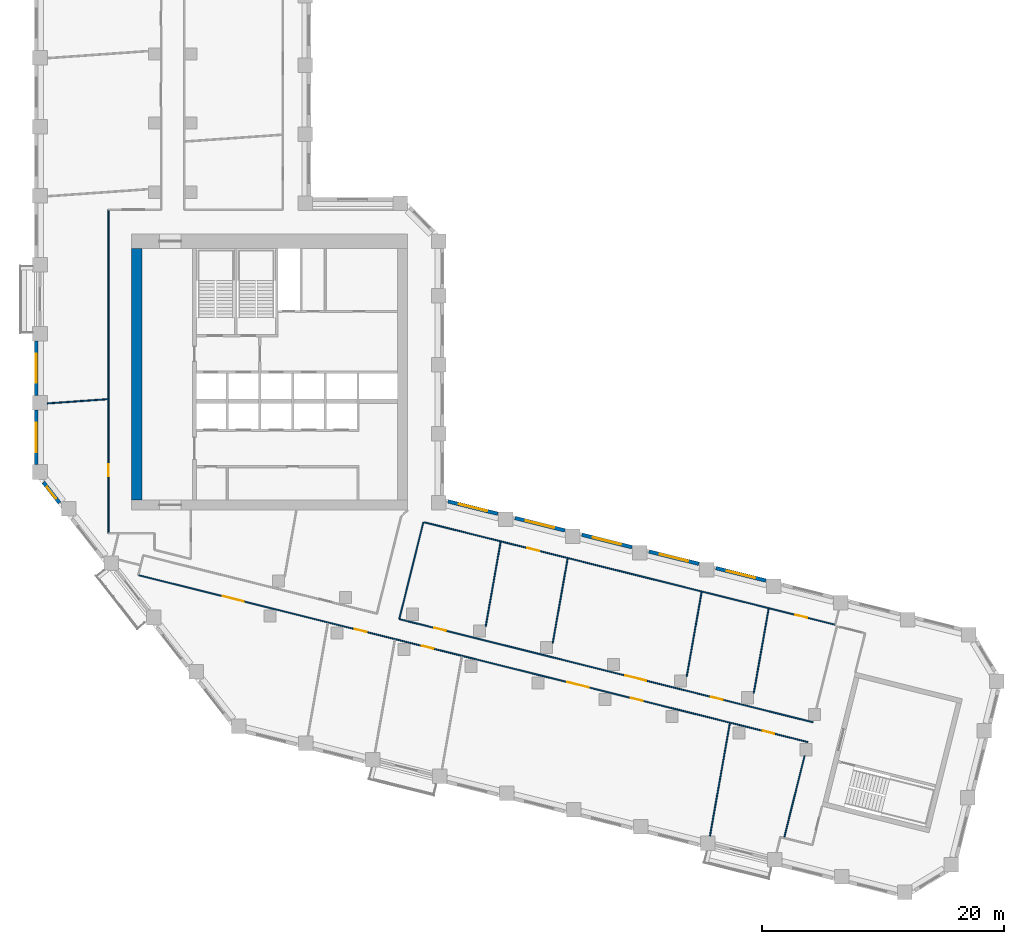
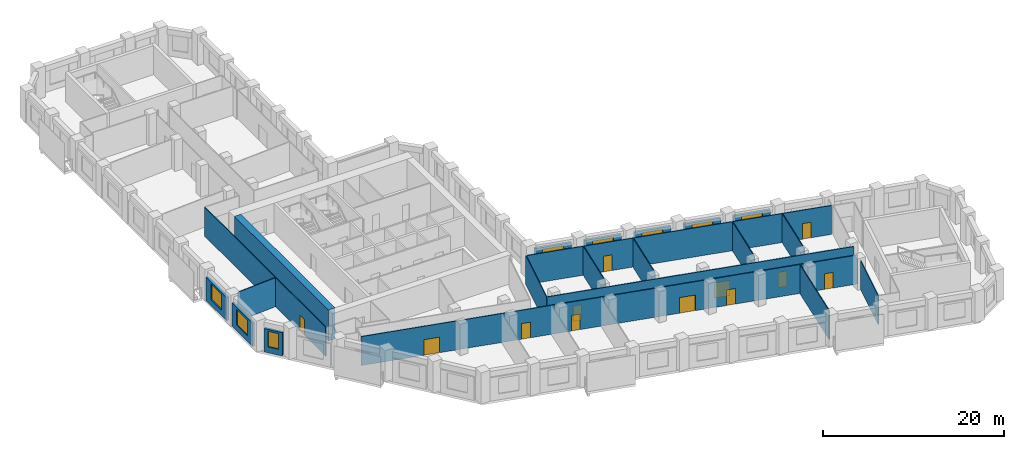
# One storey, part 4 of 10: 21 walls, 12 doors, 8 windows, 20 openings.
"""IFC4 building model written with IfcOpenShell, lengths in metres."""

from ifc_helpers import new_model, si_unit, direction, frame, frame_2d, origin, place, context, subcontext, project, spatial, rectangle, extrude, material, layer, layer_set, type_object, element, fill, save


model = new_model("IFC4")

# Units and contexts
model_context = context("Model", 3, precision=1e-05, world=origin(), true_north=direction((0.0, 1.0)))
body_context = subcontext(model_context, "Body", "Model", "MODEL_VIEW")
ifc_project = project(units=[si_unit("LENGTHUNIT", "METRE"), si_unit("AREAUNIT", "SQUARE_METRE"), si_unit("VOLUMEUNIT", "CUBIC_METRE"), si_unit("PLANEANGLEUNIT", "RADIAN"), si_unit("MASSUNIT", "GRAM", prefix="KILO")], contexts=[model_context])

# Site, building, storey
site_placement = place(None, origin())
site = spatial("IfcSite", under=ifc_project, at=site_placement, CompositionType="ELEMENT")
building_placement = place(site_placement, origin())
building = spatial("IfcBuilding", under=site, at=building_placement, Name="Meshkara Civic Tower", CompositionType="ELEMENT")
storey_placement = place(building_placement, frame((0.0, 0.0, 199.199951171875)))
storey = spatial("IfcBuildingStorey", under=building, at=storey_placement, Name="L45", CompositionType="ELEMENT", Elevation=199.199951171875)

# Wall
ifc_material_1 = material(Name="Concrete C70", Category="concrete")
ifc_layer_1 = layer(ifc_material_1, 0.85009765625)
ifc_layer_set_1 = layer_set([ifc_layer_1], Name="Core ring wall 850 C70")
wall_type_1 = type_object("IfcWallType", Name="Core ring wall 850 C70", PredefinedType="SHEAR", material=ifc_layer_set_1)
wall_1_placement = place(storey_placement, frame((8.425048828125, 14.949951171875, -0.300048828125), z_axis=(0.0, 0.0, 1.0), x_axis=(0.0, 1.0, 0.0)))
element("IfcWall", 1, at=wall_1_placement, inside=storey, type_object=wall_type_1, Name="L45-C003", PredefinedType="SHEAR", context=body_context, shape_type="SweptSolid", body=[
    extrude(rectangle(XDim=20.75, YDim=0.85009765625, at=frame_2d((10.375, 0.0))), origin(), (0.0, 0.0, 1.0), 4.2001953125),
])

# Wall, opening, door
ifc_material_2 = material(Name="Corridor wall 100")
ifc_layer_2 = layer(ifc_material_2, 0.10009765625)
ifc_layer_set_2 = layer_set([ifc_layer_2], Name="Corridor wall 100")
wall_type_2 = type_object("IfcWallType", Name="Corridor wall 100", PredefinedType="PARTITIONING", material=ifc_layer_set_2)
wall_2_placement = place(storey_placement, frame((6.10009765625, 38.89990234375, 0.0), z_axis=(0.0, 0.0, 1.0), x_axis=(0.0, -1.0, 0.0)))
wall_2 = element("IfcWall", 2, at=wall_2_placement, inside=storey, type_object=wall_type_2, Name="L45-W005", PredefinedType="PARTITIONING", context=body_context, shape_type="SweptSolid", body=[
    extrude(rectangle(XDim=26.699951171875, YDim=0.10009765625, at=frame_2d((13.35009765625, 0.0))), origin(), (0.0, 0.0, 1.0), 3.900146484375),
])
opening_1_placement = place(wall_2_placement, frame((21.010009765625, 0.0, 0.0)))
opening_1 = element("IfcOpeningElement", 3, at=opening_1_placement, cuts=wall_2, Name="Opening L45-D015", PredefinedType="OPENING", context=body_context, shape_type="SweptSolid", body=[
    extrude(rectangle(XDim=1.0, YDim=2.10009765625, at=frame_2d((0.5, 1.050048828125))), frame((0.0, 0.06005859375, 0.0), z_axis=(0.0, -1.0, 0.0), x_axis=(1.0, 0.0, 0.0)), (0.0, 0.0, 1.0), 0.1201171875),
])
ifc_material_3 = material(Name="Door 1000 x 2100")
door_type_1 = type_object("IfcDoorType", Name="Door 1000 x 2100", OperationType="SINGLE_SWING_LEFT", PredefinedType="DOOR", material=ifc_material_3)
door_1_placement = place(opening_1_placement, origin())
door_1 = element("IfcDoor", 4, at=door_1_placement, inside=storey, type_object=door_type_1, Name="L45-D015", OperationType="SINGLE_SWING_LEFT", OverallHeight=2.10009765625, OverallWidth=1.0, PredefinedType="DOOR", context=body_context, shape_type="SweptSolid", body=[
    extrude(rectangle(XDim=1.0, YDim=2.10009765625, at=frame_2d((0.5, 1.050048828125))), frame((0.0, 0.02490234375, 0.0), z_axis=(0.0, -1.0, 0.0), x_axis=(1.0, 0.0, 0.0)), (0.0, 0.0, 1.0), 0.050048828125),
])
fill(opening_1, door_1)

# Wall, openings, doors
wall_3_placement = place(storey_placement, frame((8.56494140625, 8.743896484375, 0.0), z_axis=(0.0, 0.0, 1.0), x_axis=(0.970297321886, -0.241915495869, 0.0)))
wall_3 = element("IfcWall", 5, at=wall_3_placement, inside=storey, type_object=wall_type_2, Name="L45-W006", PredefinedType="PARTITIONING", context=body_context, shape_type="SweptSolid", body=[
    extrude(rectangle(XDim=56.974365234375, YDim=0.10009765625, at=frame_2d((28.4873046875, 0.0))), origin(), (0.0, 0.0, 1.0), 3.900146484375),
])
opening_2_placement = place(wall_3_placement, frame((36.513916015625, 0.0, 0.0)))
opening_2 = element("IfcOpeningElement", 6, at=opening_2_placement, cuts=wall_3, Name="Opening L45-D002", PredefinedType="OPENING", context=body_context, shape_type="SweptSolid", body=[
    extrude(rectangle(XDim=1.800048828125, YDim=2.10009765625, at=frame_2d((0.89990234375, 1.050048828125))), frame((0.0, 0.06005859375, 0.0), z_axis=(0.0, -1.0, 0.0), x_axis=(1.0, 0.0, 0.0)), (0.0, 0.0, 1.0), 0.1201171875),
])
opening_3_placement = place(wall_3_placement, frame((41.9140625, 0.0, 0.0)))
opening_3 = element("IfcOpeningElement", 7, at=opening_3_placement, cuts=wall_3, Name="Opening L45-D003", PredefinedType="OPENING", context=body_context, shape_type="SweptSolid", body=[
    extrude(rectangle(XDim=1.0, YDim=2.10009765625, at=frame_2d((0.5, 1.050048828125))), frame((0.0, 0.06005859375, 0.0), z_axis=(0.0, -1.0, 0.0), x_axis=(1.0, 0.0, 0.0)), (0.0, 0.0, 1.0), 0.1201171875),
])
opening_4_placement = place(wall_3_placement, frame((53.113037109375, 0.0, 0.0)))
opening_4 = element("IfcOpeningElement", 8, at=opening_4_placement, cuts=wall_3, Name="Opening L45-D005", PredefinedType="OPENING", context=body_context, shape_type="SweptSolid", body=[
    extrude(rectangle(XDim=1.0, YDim=2.10009765625, at=frame_2d((0.5, 1.050048828125))), frame((0.0, 0.06005859375, 0.0), z_axis=(0.0, -1.0, 0.0), x_axis=(1.0, 0.0, 0.0)), (0.0, 0.0, 1.0), 0.1201171875),
])
opening_5_placement = place(wall_3_placement, frame((18.4130859375, 0.0, 0.0)))
opening_5 = element("IfcOpeningElement", 9, at=opening_5_placement, cuts=wall_3, Name="Opening L45-D006", PredefinedType="OPENING", context=body_context, shape_type="SweptSolid", body=[
    extrude(rectangle(XDim=1.0, YDim=2.10009765625, at=frame_2d((0.5, 1.050048828125))), frame((0.0, 0.06005859375, 0.0), z_axis=(0.0, -1.0, 0.0), x_axis=(1.0, 0.0, 0.0)), (0.0, 0.0, 1.0), 0.1201171875),
])
opening_6_placement = place(wall_3_placement, frame((24.114013671875, 0.0, 0.0)))
opening_6 = element("IfcOpeningElement", 10, at=opening_6_placement, cuts=wall_3, Name="Opening L45-D007", PredefinedType="OPENING", context=body_context, shape_type="SweptSolid", body=[
    extrude(rectangle(XDim=1.0, YDim=2.10009765625, at=frame_2d((0.5, 1.050048828125))), frame((0.0, 0.06005859375, 0.0), z_axis=(0.0, -1.0, 0.0), x_axis=(1.0, 0.0, 0.0)), (0.0, 0.0, 1.0), 0.1201171875),
])
opening_7_placement = place(wall_3_placement, frame((7.179931640625, 0.0, 0.0)))
opening_7 = element("IfcOpeningElement", 11, at=opening_7_placement, cuts=wall_3, Name="Opening L45-D012", PredefinedType="OPENING", context=body_context, shape_type="SweptSolid", body=[
    extrude(rectangle(XDim=1.800048828125, YDim=2.10009765625, at=frame_2d((0.89990234375, 1.050048828125))), frame((0.0, 0.06005859375, 0.0), z_axis=(0.0, -1.0, 0.0), x_axis=(1.0, 0.0, 0.0)), (0.0, 0.0, 1.0), 0.1201171875),
])
door_2_placement = place(opening_3_placement, origin())
door_2 = element("IfcDoor", 12, at=door_2_placement, inside=storey, type_object=door_type_1, Name="L45-D003", OperationType="SINGLE_SWING_LEFT", OverallHeight=2.10009765625, OverallWidth=1.0, PredefinedType="DOOR", context=body_context, shape_type="SweptSolid", body=[
    extrude(rectangle(XDim=1.0, YDim=2.10009765625, at=frame_2d((0.5, 1.050048828125))), frame((0.0, 0.02490234375, 0.0), z_axis=(0.0, -1.0, 0.0), x_axis=(1.0, 0.0, 0.0)), (0.0, 0.0, 1.0), 0.050048828125),
])
fill(opening_3, door_2)
door_3_placement = place(opening_4_placement, origin())
door_3 = element("IfcDoor", 13, at=door_3_placement, inside=storey, type_object=door_type_1, Name="L45-D005", OperationType="SINGLE_SWING_RIGHT", OverallHeight=2.10009765625, OverallWidth=1.0, PredefinedType="DOOR", context=body_context, shape_type="SweptSolid", body=[
    extrude(rectangle(XDim=1.0, YDim=2.10009765625, at=frame_2d((0.5, 1.050048828125))), frame((0.0, 0.02490234375, 0.0), z_axis=(0.0, -1.0, 0.0), x_axis=(1.0, 0.0, 0.0)), (0.0, 0.0, 1.0), 0.050048828125),
])
fill(opening_4, door_3)
door_4_placement = place(opening_5_placement, origin())
door_4 = element("IfcDoor", 14, at=door_4_placement, inside=storey, type_object=door_type_1, Name="L45-D006", OperationType="SINGLE_SWING_RIGHT", OverallHeight=2.10009765625, OverallWidth=1.0, PredefinedType="DOOR", context=body_context, shape_type="SweptSolid", body=[
    extrude(rectangle(XDim=1.0, YDim=2.10009765625, at=frame_2d((0.5, 1.050048828125))), frame((0.0, 0.02490234375, 0.0), z_axis=(0.0, -1.0, 0.0), x_axis=(1.0, 0.0, 0.0)), (0.0, 0.0, 1.0), 0.050048828125),
])
fill(opening_5, door_4)
door_5_placement = place(opening_6_placement, origin())
door_5 = element("IfcDoor", 15, at=door_5_placement, inside=storey, type_object=door_type_1, Name="L45-D007", OperationType="SINGLE_SWING_RIGHT", OverallHeight=2.10009765625, OverallWidth=1.0, PredefinedType="DOOR", context=body_context, shape_type="SweptSolid", body=[
    extrude(rectangle(XDim=1.0, YDim=2.10009765625, at=frame_2d((0.5, 1.050048828125))), frame((0.0, 0.02490234375, 0.0), z_axis=(0.0, -1.0, 0.0), x_axis=(1.0, 0.0, 0.0)), (0.0, 0.0, 1.0), 0.050048828125),
])
fill(opening_6, door_5)
ifc_material_4 = material(Name="Door pair 1800 x 2100")
door_type_2 = type_object("IfcDoorType", Name="Door pair 1800 x 2100", OperationType="SINGLE_SWING_LEFT", PredefinedType="DOOR", material=ifc_material_4)
door_6_placement = place(opening_2_placement, origin())
door_6 = element("IfcDoor", 16, at=door_6_placement, inside=storey, type_object=door_type_2, Name="L45-D002", OperationType="DOUBLE_DOOR_SINGLE_SWING", OverallHeight=2.10009765625, OverallWidth=1.800048828125, PredefinedType="DOOR", context=body_context, shape_type="SweptSolid", body=[
    extrude(rectangle(XDim=1.800048828125, YDim=2.10009765625, at=frame_2d((0.89990234375, 1.050048828125))), frame((0.0, 0.02490234375, 0.0), z_axis=(0.0, -1.0, 0.0), x_axis=(1.0, 0.0, 0.0)), (0.0, 0.0, 1.0), 0.050048828125),
])
fill(opening_2, door_6)
door_7_placement = place(opening_7_placement, origin())
door_7 = element("IfcDoor", 17, at=door_7_placement, inside=storey, type_object=door_type_2, Name="L45-D012", OperationType="DOUBLE_DOOR_SINGLE_SWING", OverallHeight=2.10009765625, OverallWidth=1.800048828125, PredefinedType="DOOR", context=body_context, shape_type="SweptSolid", body=[
    extrude(rectangle(XDim=1.800048828125, YDim=2.10009765625, at=frame_2d((0.89990234375, 1.050048828125))), frame((0.0, 0.02490234375, 0.0), z_axis=(0.0, -1.0, 0.0), x_axis=(1.0, 0.0, 0.0)), (0.0, 0.0, 1.0), 0.050048828125),
])
fill(opening_7, door_7)

wall_4_placement = place(storey_placement, frame((30.10498046875, 5.113037109375, 0.0), z_axis=(0.0, 0.0, 1.0), x_axis=(0.970293689353, -0.241930065106, 0.0)))
wall_4 = element("IfcWall", 18, at=wall_4_placement, inside=storey, type_object=wall_type_2, Name="L45-W022", PredefinedType="PARTITIONING", context=body_context, shape_type="SweptSolid", body=[
    extrude(rectangle(XDim=35.19677734375, YDim=0.10009765625, at=frame_2d((17.598388671875, 0.0))), origin(), (0.0, 0.0, 1.0), 3.900146484375),
])
opening_8_placement = place(wall_4_placement, frame((26.527099609375, 0.0, 0.0)))
opening_8 = element("IfcOpeningElement", 19, at=opening_8_placement, cuts=wall_4, Name="Opening L45-D004", PredefinedType="OPENING", context=body_context, shape_type="SweptSolid", body=[
    extrude(rectangle(XDim=1.0, YDim=2.10009765625, at=frame_2d((0.5, 1.050048828125))), frame((0.0, 0.06005859375, 0.0), z_axis=(0.0, -1.0, 0.0), x_axis=(1.0, 0.0, 0.0)), (0.0, 0.0, 1.0), 0.1201171875),
])
opening_9_placement = place(wall_4_placement, frame((2.97998046875, 0.0, 0.0)))
opening_9 = element("IfcOpeningElement", 20, at=opening_9_placement, cuts=wall_4, Name="Opening L45-D008", PredefinedType="OPENING", context=body_context, shape_type="SweptSolid", body=[
    extrude(rectangle(XDim=1.0, YDim=2.10009765625, at=frame_2d((0.5, 1.050048828125))), frame((0.0, 0.06005859375, 0.0), z_axis=(0.0, -1.0, 0.0), x_axis=(1.0, 0.0, 0.0)), (0.0, 0.0, 1.0), 0.1201171875),
])
opening_10_placement = place(wall_4_placement, frame((19.22705078125, 0.0, 0.0)))
opening_10 = element("IfcOpeningElement", 21, at=opening_10_placement, cuts=wall_4, Name="Opening L45-D009", PredefinedType="OPENING", context=body_context, shape_type="SweptSolid", body=[
    extrude(rectangle(XDim=1.800048828125, YDim=2.10009765625, at=frame_2d((0.89990234375, 1.050048828125))), frame((0.0, 0.06005859375, 0.0), z_axis=(0.0, -1.0, 0.0), x_axis=(1.0, 0.0, 0.0)), (0.0, 0.0, 1.0), 0.1201171875),
])
door_8_placement = place(opening_8_placement, origin())
door_8 = element("IfcDoor", 22, at=door_8_placement, inside=storey, type_object=door_type_1, Name="L45-D004", OperationType="SINGLE_SWING_LEFT", OverallHeight=2.10009765625, OverallWidth=1.0, PredefinedType="DOOR", context=body_context, shape_type="SweptSolid", body=[
    extrude(rectangle(XDim=1.0, YDim=2.10009765625, at=frame_2d((0.5, 1.050048828125))), frame((0.0, 0.02490234375, 0.0), z_axis=(0.0, -1.0, 0.0), x_axis=(1.0, 0.0, 0.0)), (0.0, 0.0, 1.0), 0.050048828125),
])
fill(opening_8, door_8)
door_9_placement = place(opening_9_placement, origin())
door_9 = element("IfcDoor", 23, at=door_9_placement, inside=storey, type_object=door_type_1, Name="L45-D008", OperationType="SINGLE_SWING_LEFT", OverallHeight=2.10009765625, OverallWidth=1.0, PredefinedType="DOOR", context=body_context, shape_type="SweptSolid", body=[
    extrude(rectangle(XDim=1.0, YDim=2.10009765625, at=frame_2d((0.5, 1.050048828125))), frame((0.0, 0.02490234375, 0.0), z_axis=(0.0, -1.0, 0.0), x_axis=(1.0, 0.0, 0.0)), (0.0, 0.0, 1.0), 0.050048828125),
])
fill(opening_9, door_9)
door_10_placement = place(opening_10_placement, origin())
door_10 = element("IfcDoor", 24, at=door_10_placement, inside=storey, type_object=door_type_2, Name="L45-D009", OperationType="DOUBLE_DOOR_SINGLE_SWING", OverallHeight=2.10009765625, OverallWidth=1.800048828125, PredefinedType="DOOR", context=body_context, shape_type="SweptSolid", body=[
    extrude(rectangle(XDim=1.800048828125, YDim=2.10009765625, at=frame_2d((0.89990234375, 1.050048828125))), frame((0.0, 0.02490234375, 0.0), z_axis=(0.0, -1.0, 0.0), x_axis=(1.0, 0.0, 0.0)), (0.0, 0.0, 1.0), 0.050048828125),
])
fill(opening_10, door_10)

# Wall
wall_5_placement = place(storey_placement, frame((30.10498046875, 5.113037109375, 0.0), z_axis=(0.0, 0.0, 1.0), x_axis=(0.241984285369, 0.970280168629, 0.0)))
element("IfcWall", 25, at=wall_5_placement, inside=storey, type_object=wall_type_2, Name="L45-W023", PredefinedType="PARTITIONING", context=body_context, shape_type="SweptSolid", body=[
    extrude(rectangle(XDim=8.231689453125, YDim=0.10009765625, at=frame_2d((4.11572265625, 0.0))), origin(), (0.0, 0.0, 1.0), 3.900146484375),
])

# Wall, openings, doors
wall_6_placement = place(storey_placement, frame((32.196044921875, 13.10009765625, 0.0), z_axis=(0.0, 0.0, 1.0), x_axis=(0.970294028693, -0.241928704129, 0.0)))
wall_6 = element("IfcWall", 26, at=wall_6_placement, inside=storey, type_object=wall_type_2, Name="L45-W026", PredefinedType="PARTITIONING", context=body_context, shape_type="SweptSolid", body=[
    extrude(rectangle(XDim=34.928466796875, YDim=0.10009765625, at=frame_2d((17.46435546875, 0.0))), origin(), (0.0, 0.0, 1.0), 3.900146484375),
])
opening_11_placement = place(wall_6_placement, frame((31.55810546875, 0.0, 0.0)))
opening_11 = element("IfcOpeningElement", 27, at=opening_11_placement, cuts=wall_6, Name="Opening L45-D010", PredefinedType="OPENING", context=body_context, shape_type="SweptSolid", body=[
    extrude(rectangle(XDim=1.0, YDim=2.10009765625, at=frame_2d((0.5, 1.050048828125))), frame((0.0, 0.06005859375, 0.0), z_axis=(0.0, -1.0, 0.0), x_axis=(1.0, 0.0, 0.0)), (0.0, 0.0, 1.0), 0.1201171875),
])
opening_12_placement = place(wall_6_placement, frame((8.757080078125, 0.0, 0.0)))
opening_12 = element("IfcOpeningElement", 28, at=opening_12_placement, cuts=wall_6, Name="Opening L45-D014", PredefinedType="OPENING", context=body_context, shape_type="SweptSolid", body=[
    extrude(rectangle(XDim=1.0, YDim=2.10009765625, at=frame_2d((0.5, 1.050048828125))), frame((0.0, 0.06005859375, 0.0), z_axis=(0.0, -1.0, 0.0), x_axis=(1.0, 0.0, 0.0)), (0.0, 0.0, 1.0), 0.1201171875),
])
door_11_placement = place(opening_11_placement, origin())
door_11 = element("IfcDoor", 29, at=door_11_placement, inside=storey, type_object=door_type_1, Name="L45-D010", OperationType="SINGLE_SWING_RIGHT", OverallHeight=2.10009765625, OverallWidth=1.0, PredefinedType="DOOR", context=body_context, shape_type="SweptSolid", body=[
    extrude(rectangle(XDim=1.0, YDim=2.10009765625, at=frame_2d((0.5, 1.050048828125))), frame((0.0, 0.02490234375, 0.0), z_axis=(0.0, -1.0, 0.0), x_axis=(1.0, 0.0, 0.0)), (0.0, 0.0, 1.0), 0.050048828125),
])
fill(opening_11, door_11)
door_12_placement = place(opening_12_placement, origin())
door_12 = element("IfcDoor", 30, at=door_12_placement, inside=storey, type_object=door_type_1, Name="L45-D014", OperationType="SINGLE_SWING_RIGHT", OverallHeight=2.10009765625, OverallWidth=1.0, PredefinedType="DOOR", context=body_context, shape_type="SweptSolid", body=[
    extrude(rectangle(XDim=1.0, YDim=2.10009765625, at=frame_2d((0.5, 1.050048828125))), frame((0.0, 0.02490234375, 0.0), z_axis=(0.0, -1.0, 0.0), x_axis=(1.0, 0.0, 0.0)), (0.0, 0.0, 1.0), 0.050048828125),
])
fill(opening_12, door_12)

# Wall
wall_7_placement = place(storey_placement, frame((63.56494140625, -6.1708984375, 0.0), z_axis=(0.0, 0.0, 1.0), x_axis=(-0.241919179606, -0.970296403445, 0.0)))
element("IfcWall", 31, at=wall_7_placement, inside=storey, type_object=wall_type_2, Name="L45-W028", PredefinedType="PARTITIONING", context=body_context, shape_type="SweptSolid", body=[
    extrude(rectangle(XDim=6.989501953125, YDim=0.10009765625, at=frame_2d((3.49462890625, 0.0))), origin(), (0.0, 0.0, 1.0), 3.900146484375),
])

# Wall, opening, window
ifc_material_5 = material(Name="Insulated infill panel with bronze anodised aluminium cladding", Category="aluminium")
ifc_layer_3 = layer(ifc_material_5, 0.300048828125)
ifc_layer_set_3 = layer_set([ifc_layer_3], Name="EXTERNAL INFILL WALL 300")
wall_type_3 = type_object("IfcWallType", Name="EXTERNAL INFILL WALL 300", PredefinedType="SOLIDWALL", material=ifc_layer_set_3)
wall_8_placement = place(storey_placement, frame((60.3701171875, 8.291015625, 0.0), z_axis=(0.0, 0.0, 1.0), x_axis=(-0.970291164166, 0.241940192487, 0.0)))
wall_8 = element("IfcWall", 32, at=wall_8_placement, inside=storey, type_object=wall_type_3, Name="External wall", PredefinedType="SOLIDWALL", context=body_context, shape_type="SweptSolid", body=[
    extrude(rectangle(XDim=4.245361328125, YDim=0.300048828125, at=frame_2d((2.12255859375, 0.0))), origin(), (0.0, 0.0, 1.0), 3.150146484375),
])
opening_13_placement = place(wall_8_placement, frame((0.922119140625, 0.0, 0.800048828125)))
opening_13 = element("IfcOpeningElement", 33, at=opening_13_placement, cuts=wall_8, Name="Opening W7", PredefinedType="OPENING", context=body_context, shape_type="SweptSolid", body=[
    extrude(rectangle(XDim=2.39990234375, YDim=2.10009765625, at=frame_2d((1.199951171875, 1.050048828125))), frame((0.0, 0.159912109375, 0.0), z_axis=(0.0, -1.0, 0.0), x_axis=(1.0, 0.0, 0.0)), (0.0, 0.0, 1.0), 0.320068359375),
])
ifc_material_6 = material(Name="Tinted double glazing", Category="glass")
window_type_1 = type_object("IfcWindowType", Name="WINDOW 2400x2100", PartitioningType="DOUBLE_PANEL_VERTICAL", PredefinedType="WINDOW", material=ifc_material_6)
window_1_placement = place(opening_13_placement, origin())
window_1 = element("IfcWindow", 34, at=window_1_placement, inside=storey, type_object=window_type_1, Name="Window", OverallHeight=2.10009765625, OverallWidth=2.39990234375, PartitioningType="DOUBLE_PANEL_VERTICAL", PredefinedType="WINDOW", context=body_context, shape_type="SweptSolid", body=[
    extrude(rectangle(XDim=2.39990234375, YDim=2.10009765625, at=frame_2d((1.199951171875, 1.050048828125))), frame((0.0, 0.030029296875, 0.0), z_axis=(0.0, -1.0, 0.0), x_axis=(1.0, 0.0, 0.0)), (0.0, 0.0, 1.0), 0.06005859375),
])
fill(opening_13, window_1)

wall_9_placement = place(storey_placement, frame((54.840087890625, 9.669921875, 0.0), z_axis=(0.0, 0.0, 1.0), x_axis=(-0.97030462482, 0.241886202691, 0.0)))
wall_9 = element("IfcWall", 35, at=wall_9_placement, inside=storey, type_object=wall_type_3, Name="External wall", PredefinedType="SOLIDWALL", context=body_context, shape_type="SweptSolid", body=[
    extrude(rectangle(XDim=4.24609375, YDim=0.300048828125, at=frame_2d((2.123046875, 0.0))), origin(), (0.0, 0.0, 1.0), 3.150146484375),
])
opening_14_placement = place(wall_9_placement, frame((0.923095703125, 0.0, 0.800048828125)))
opening_14 = element("IfcOpeningElement", 36, at=opening_14_placement, cuts=wall_9, Name="Opening W7", PredefinedType="OPENING", context=body_context, shape_type="SweptSolid", body=[
    extrude(rectangle(XDim=2.39990234375, YDim=2.10009765625, at=frame_2d((1.199951171875, 1.050048828125))), frame((0.0, 0.159912109375, 0.0), z_axis=(0.0, -1.0, 0.0), x_axis=(1.0, 0.0, 0.0)), (0.0, 0.0, 1.0), 0.320068359375),
])
window_2_placement = place(opening_14_placement, origin())
window_2 = element("IfcWindow", 37, at=window_2_placement, inside=storey, type_object=window_type_1, Name="Window", OverallHeight=2.10009765625, OverallWidth=2.39990234375, PartitioningType="DOUBLE_PANEL_VERTICAL", PredefinedType="WINDOW", context=body_context, shape_type="SweptSolid", body=[
    extrude(rectangle(XDim=2.39990234375, YDim=2.10009765625, at=frame_2d((1.199951171875, 1.050048828125))), frame((0.0, 0.030029296875, 0.0), z_axis=(0.0, -1.0, 0.0), x_axis=(1.0, 0.0, 0.0)), (0.0, 0.0, 1.0), 0.06005859375),
])
fill(opening_14, window_2)

wall_10_placement = place(storey_placement, frame((49.30908203125, 11.049072265625, 0.0), z_axis=(0.0, 0.0, 1.0), x_axis=(-0.970264129329, 0.242048588793, 0.0)))
wall_10 = element("IfcWall", 38, at=wall_10_placement, inside=storey, type_object=wall_type_3, Name="External wall", PredefinedType="SOLIDWALL", context=body_context, shape_type="SweptSolid", body=[
    extrude(rectangle(XDim=4.246337890625, YDim=0.300048828125, at=frame_2d((2.123046875, 0.0))), origin(), (0.0, 0.0, 1.0), 3.150146484375),
])
opening_15_placement = place(wall_10_placement, frame((0.923095703125, 0.0, 0.800048828125)))
opening_15 = element("IfcOpeningElement", 39, at=opening_15_placement, cuts=wall_10, Name="Opening W7", PredefinedType="OPENING", context=body_context, shape_type="SweptSolid", body=[
    extrude(rectangle(XDim=2.39990234375, YDim=2.10009765625, at=frame_2d((1.199951171875, 1.050048828125))), frame((0.0, 0.159912109375, 0.0), z_axis=(0.0, -1.0, 0.0), x_axis=(1.0, 0.0, 0.0)), (0.0, 0.0, 1.0), 0.320068359375),
])
window_3_placement = place(opening_15_placement, origin())
window_3 = element("IfcWindow", 40, at=window_3_placement, inside=storey, type_object=window_type_1, Name="Window", OverallHeight=2.10009765625, OverallWidth=2.39990234375, PartitioningType="DOUBLE_PANEL_VERTICAL", PredefinedType="WINDOW", context=body_context, shape_type="SweptSolid", body=[
    extrude(rectangle(XDim=2.39990234375, YDim=2.10009765625, at=frame_2d((1.199951171875, 1.050048828125))), frame((0.0, 0.030029296875, 0.0), z_axis=(0.0, -1.0, 0.0), x_axis=(1.0, 0.0, 0.0)), (0.0, 0.0, 1.0), 0.06005859375),
])
fill(opening_15, window_3)

wall_11_placement = place(storey_placement, frame((43.778076171875, 12.427978515625, 0.0), z_axis=(0.0, 0.0, 1.0), x_axis=(-0.970291164166, 0.241940192487, 0.0)))
wall_11 = element("IfcWall", 41, at=wall_11_placement, inside=storey, type_object=wall_type_3, Name="External wall", PredefinedType="SOLIDWALL", context=body_context, shape_type="SweptSolid", body=[
    extrude(rectangle(XDim=4.245361328125, YDim=0.300048828125, at=frame_2d((2.12255859375, 0.0))), origin(), (0.0, 0.0, 1.0), 3.150146484375),
])
opening_16_placement = place(wall_11_placement, frame((0.922119140625, 0.0, 0.800048828125)))
opening_16 = element("IfcOpeningElement", 42, at=opening_16_placement, cuts=wall_11, Name="Opening W7", PredefinedType="OPENING", context=body_context, shape_type="SweptSolid", body=[
    extrude(rectangle(XDim=2.39990234375, YDim=2.10009765625, at=frame_2d((1.199951171875, 1.050048828125))), frame((0.0, 0.159912109375, 0.0), z_axis=(0.0, -1.0, 0.0), x_axis=(1.0, 0.0, 0.0)), (0.0, 0.0, 1.0), 0.320068359375),
])
window_4_placement = place(opening_16_placement, origin())
window_4 = element("IfcWindow", 43, at=window_4_placement, inside=storey, type_object=window_type_1, Name="Window", OverallHeight=2.10009765625, OverallWidth=2.39990234375, PartitioningType="DOUBLE_PANEL_VERTICAL", PredefinedType="WINDOW", context=body_context, shape_type="SweptSolid", body=[
    extrude(rectangle(XDim=2.39990234375, YDim=2.10009765625, at=frame_2d((1.199951171875, 1.050048828125))), frame((0.0, 0.030029296875, 0.0), z_axis=(0.0, -1.0, 0.0), x_axis=(1.0, 0.0, 0.0)), (0.0, 0.0, 1.0), 0.06005859375),
])
fill(opening_16, window_4)

wall_12_placement = place(storey_placement, frame((38.248046875, 13.806884765625, 0.0), z_axis=(0.0, 0.0, 1.0), x_axis=(-0.970250625545, 0.242102712975, 0.0)))
wall_12 = element("IfcWall", 44, at=wall_12_placement, inside=storey, type_object=wall_type_3, Name="External wall", PredefinedType="SOLIDWALL", context=body_context, shape_type="SweptSolid", body=[
    extrude(rectangle(XDim=4.246337890625, YDim=0.300048828125, at=frame_2d((2.123046875, 0.0))), origin(), (0.0, 0.0, 1.0), 3.150146484375),
])
opening_17_placement = place(wall_12_placement, frame((0.923095703125, 0.0, 0.800048828125)))
opening_17 = element("IfcOpeningElement", 45, at=opening_17_placement, cuts=wall_12, Name="Opening W7", PredefinedType="OPENING", context=body_context, shape_type="SweptSolid", body=[
    extrude(rectangle(XDim=2.39990234375, YDim=2.10009765625, at=frame_2d((1.199951171875, 1.050048828125))), frame((0.0, 0.159912109375, 0.0), z_axis=(0.0, -1.0, 0.0), x_axis=(1.0, 0.0, 0.0)), (0.0, 0.0, 1.0), 0.320068359375),
])
window_5_placement = place(opening_17_placement, origin())
window_5 = element("IfcWindow", 46, at=window_5_placement, inside=storey, type_object=window_type_1, Name="Window", OverallHeight=2.10009765625, OverallWidth=2.39990234375, PartitioningType="DOUBLE_PANEL_VERTICAL", PredefinedType="WINDOW", context=body_context, shape_type="SweptSolid", body=[
    extrude(rectangle(XDim=2.39990234375, YDim=2.10009765625, at=frame_2d((1.199951171875, 1.050048828125))), frame((0.0, 0.030029296875, 0.0), z_axis=(0.0, -1.0, 0.0), x_axis=(1.0, 0.0, 0.0)), (0.0, 0.0, 1.0), 0.06005859375),
])
fill(opening_17, window_5)

wall_13_placement = place(storey_placement, frame((0.14990234375, 28.054931640625, 0.0), z_axis=(0.0, 0.0, 1.0), x_axis=(0.0, -1.0, 0.0)))
wall_13 = element("IfcWall", 47, at=wall_13_placement, inside=storey, type_object=wall_type_3, Name="External wall", PredefinedType="SOLIDWALL", context=body_context, shape_type="SweptSolid", body=[
    extrude(rectangle(XDim=4.5, YDim=0.300048828125, at=frame_2d((2.25, 0.0))), origin(), (0.0, 0.0, 1.0), 3.150146484375),
])
opening_18_placement = place(wall_13_placement, frame((1.050048828125, 0.0, 0.800048828125)))
opening_18 = element("IfcOpeningElement", 48, at=opening_18_placement, cuts=wall_13, Name="Opening W7", PredefinedType="OPENING", context=body_context, shape_type="SweptSolid", body=[
    extrude(rectangle(XDim=2.39990234375, YDim=2.10009765625, at=frame_2d((1.199951171875, 1.050048828125))), frame((0.0, 0.159912109375, 0.0), z_axis=(0.0, -1.0, 0.0), x_axis=(1.0, 0.0, 0.0)), (0.0, 0.0, 1.0), 0.320068359375),
])
window_6_placement = place(opening_18_placement, origin())
window_6 = element("IfcWindow", 49, at=window_6_placement, inside=storey, type_object=window_type_1, Name="Window", OverallHeight=2.10009765625, OverallWidth=2.39990234375, PartitioningType="DOUBLE_PANEL_VERTICAL", PredefinedType="WINDOW", context=body_context, shape_type="SweptSolid", body=[
    extrude(rectangle(XDim=2.39990234375, YDim=2.10009765625, at=frame_2d((1.199951171875, 1.050048828125))), frame((0.0, 0.030029296875, 0.0), z_axis=(0.0, -1.0, 0.0), x_axis=(1.0, 0.0, 0.0)), (0.0, 0.0, 1.0), 0.06005859375),
])
fill(opening_18, window_6)

wall_14_placement = place(storey_placement, frame((0.14990234375, 22.35498046875, 0.0), z_axis=(0.0, 0.0, 1.0), x_axis=(0.0, -1.0, 0.0)))
wall_14 = element("IfcWall", 50, at=wall_14_placement, inside=storey, type_object=wall_type_3, Name="External wall", PredefinedType="SOLIDWALL", context=body_context, shape_type="SweptSolid", body=[
    extrude(rectangle(XDim=4.5, YDim=0.300048828125, at=frame_2d((2.25, 0.0))), origin(), (0.0, 0.0, 1.0), 3.150146484375),
])
opening_19_placement = place(wall_14_placement, frame((1.050048828125, 0.0, 0.800048828125)))
opening_19 = element("IfcOpeningElement", 51, at=opening_19_placement, cuts=wall_14, Name="Opening W7", PredefinedType="OPENING", context=body_context, shape_type="SweptSolid", body=[
    extrude(rectangle(XDim=2.39990234375, YDim=2.10009765625, at=frame_2d((1.199951171875, 1.050048828125))), frame((0.0, 0.159912109375, 0.0), z_axis=(0.0, -1.0, 0.0), x_axis=(1.0, 0.0, 0.0)), (0.0, 0.0, 1.0), 0.320068359375),
])
window_7_placement = place(opening_19_placement, origin())
window_7 = element("IfcWindow", 52, at=window_7_placement, inside=storey, type_object=window_type_1, Name="Window", OverallHeight=2.10009765625, OverallWidth=2.39990234375, PartitioningType="DOUBLE_PANEL_VERTICAL", PredefinedType="WINDOW", context=body_context, shape_type="SweptSolid", body=[
    extrude(rectangle(XDim=2.39990234375, YDim=2.10009765625, at=frame_2d((1.199951171875, 1.050048828125))), frame((0.0, 0.030029296875, 0.0), z_axis=(0.0, -1.0, 0.0), x_axis=(1.0, 0.0, 0.0)), (0.0, 0.0, 1.0), 0.06005859375),
])
fill(opening_19, window_7)

wall_15_placement = place(storey_placement, frame((0.73193359375, 16.406982421875, 0.0), z_axis=(0.0, 0.0, 1.0), x_axis=(0.615593496459, -0.788063859797, 0.0)))
wall_15 = element("IfcWall", 53, at=wall_15_placement, inside=storey, type_object=wall_type_3, Name="External wall", PredefinedType="SOLIDWALL", context=body_context, shape_type="SweptSolid", body=[
    extrude(rectangle(XDim=2.156005859375, YDim=0.300048828125, at=frame_2d((1.078125, 0.0))), origin(), (0.0, 0.0, 1.0), 3.150146484375),
])
opening_20_placement = place(wall_15_placement, frame((0.47802734375, 0.0, 0.800048828125)))
opening_20 = element("IfcOpeningElement", 54, at=opening_20_placement, cuts=wall_15, Name="Opening W3", PredefinedType="OPENING", context=body_context, shape_type="SweptSolid", body=[
    extrude(rectangle(XDim=1.199951171875, YDim=2.10009765625, at=frame_2d((0.60009765625, 1.050048828125))), frame((0.0, 0.159912109375, 0.0), z_axis=(0.0, -1.0, 0.0), x_axis=(1.0, 0.0, 0.0)), (0.0, 0.0, 1.0), 0.320068359375),
])
ifc_material_7 = material(Name="Tinted double glazing", Category="glass")
window_type_2 = type_object("IfcWindowType", Name="WINDOW 1200x2100", PartitioningType="SINGLE_PANEL", PredefinedType="WINDOW", material=ifc_material_7)
window_8_placement = place(opening_20_placement, origin())
window_8 = element("IfcWindow", 55, at=window_8_placement, inside=storey, type_object=window_type_2, Name="Window", OverallHeight=2.10009765625, OverallWidth=1.199951171875, PartitioningType="SINGLE_PANEL", PredefinedType="WINDOW", context=body_context, shape_type="SweptSolid", body=[
    extrude(rectangle(XDim=1.199951171875, YDim=2.10009765625, at=frame_2d((0.60009765625, 1.050048828125))), frame((0.0, 0.030029296875, 0.0), z_axis=(0.0, -1.0, 0.0), x_axis=(1.0, 0.0, 0.0)), (0.0, 0.0, 1.0), 0.06005859375),
])
fill(opening_20, window_8)

# Walls
ifc_material_8 = material(Name="Partition 100")
ifc_layer_4 = layer(ifc_material_8, 0.10009765625)
ifc_layer_set_4 = layer_set([ifc_layer_4], Name="Partition 100")
wall_type_4 = type_object("IfcWallType", Name="Partition 100", PredefinedType="PARTITIONING", material=ifc_layer_set_4)
wall_16_placement = place(storey_placement, frame((6.047119140625, 23.26611328125, 0.0), z_axis=(0.0, 0.0, 1.0), x_axis=(-0.99755475556, -0.069889267123, 0.0)))
element("IfcWall", 56, at=wall_16_placement, inside=storey, type_object=wall_type_4, Name="L45-W036", PredefinedType="PARTITIONING", context=body_context, shape_type="SweptSolid", body=[
    extrude(rectangle(XDim=5.00927734375, YDim=0.10009765625, at=frame_2d((2.504638671875, 0.0))), origin(), (0.0, 0.0, 1.0), 3.900146484375),
])
wall_17_placement = place(storey_placement, frame((37.241943359375, 4.506103515625, 0.0), z_axis=(0.0, 0.0, 1.0), x_axis=(0.173688962869, 0.98480056061, 0.0)))
element("IfcWall", 57, at=wall_17_placement, inside=storey, type_object=wall_type_4, Name="L45-W047", PredefinedType="PARTITIONING", context=body_context, shape_type="SweptSolid", body=[
    extrude(rectangle(XDim=7.08154296875, YDim=0.10009765625, at=frame_2d((3.540771484375, 0.0))), origin(), (0.0, 0.0, 1.0), 3.900146484375),
])
wall_18_placement = place(storey_placement, frame((42.77197265625, 3.12109375, 0.0), z_axis=(0.0, 0.0, 1.0), x_axis=(0.173675291482, 0.98480297173, 0.0)))
element("IfcWall", 58, at=wall_18_placement, inside=storey, type_object=wall_type_4, Name="L45-W048", PredefinedType="PARTITIONING", context=body_context, shape_type="SweptSolid", body=[
    extrude(rectangle(XDim=7.087646484375, YDim=0.10009765625, at=frame_2d((3.5439453125, 0.0))), origin(), (0.0, 0.0, 1.0), 3.900146484375),
])
wall_19_placement = place(storey_placement, frame((53.833984375, 0.368896484375, 0.0), z_axis=(0.0, 0.0, 1.0), x_axis=(0.173683066019, 0.984801600617, 0.0)))
element("IfcWall", 59, at=wall_19_placement, inside=storey, type_object=wall_type_4, Name="L45-W049", PredefinedType="PARTITIONING", context=body_context, shape_type="SweptSolid", body=[
    extrude(rectangle(XDim=7.081787109375, YDim=0.10009765625, at=frame_2d((3.541015625, 0.0))), origin(), (0.0, 0.0, 1.0), 3.900146484375),
])
wall_20_placement = place(storey_placement, frame((55.7529296875, -12.7900390625, 0.0), z_axis=(0.0, 0.0, 1.0), x_axis=(0.17370720156, 0.984797343684, 0.0)))
element("IfcWall", 60, at=wall_20_placement, inside=storey, type_object=wall_type_4, Name="L45-W050", PredefinedType="PARTITIONING", context=body_context, shape_type="SweptSolid", body=[
    extrude(rectangle(XDim=9.447509765625, YDim=0.10009765625, at=frame_2d((4.7236328125, 0.0))), origin(), (0.0, 0.0, 1.0), 3.900146484375),
])
wall_21_placement = place(storey_placement, frame((59.364013671875, -1.01611328125, 0.0), z_axis=(0.0, 0.0, 1.0), x_axis=(0.173669400223, 0.984804010667, 0.0)))
element("IfcWall", 61, at=wall_21_placement, inside=storey, type_object=wall_type_4, Name="L45-W051", PredefinedType="PARTITIONING", context=body_context, shape_type="SweptSolid", body=[
    extrude(rectangle(XDim=7.087890625, YDim=0.10009765625, at=frame_2d((3.5439453125, 0.0))), origin(), (0.0, 0.0, 1.0), 3.900146484375),
])

save(model, "model.ifc")
